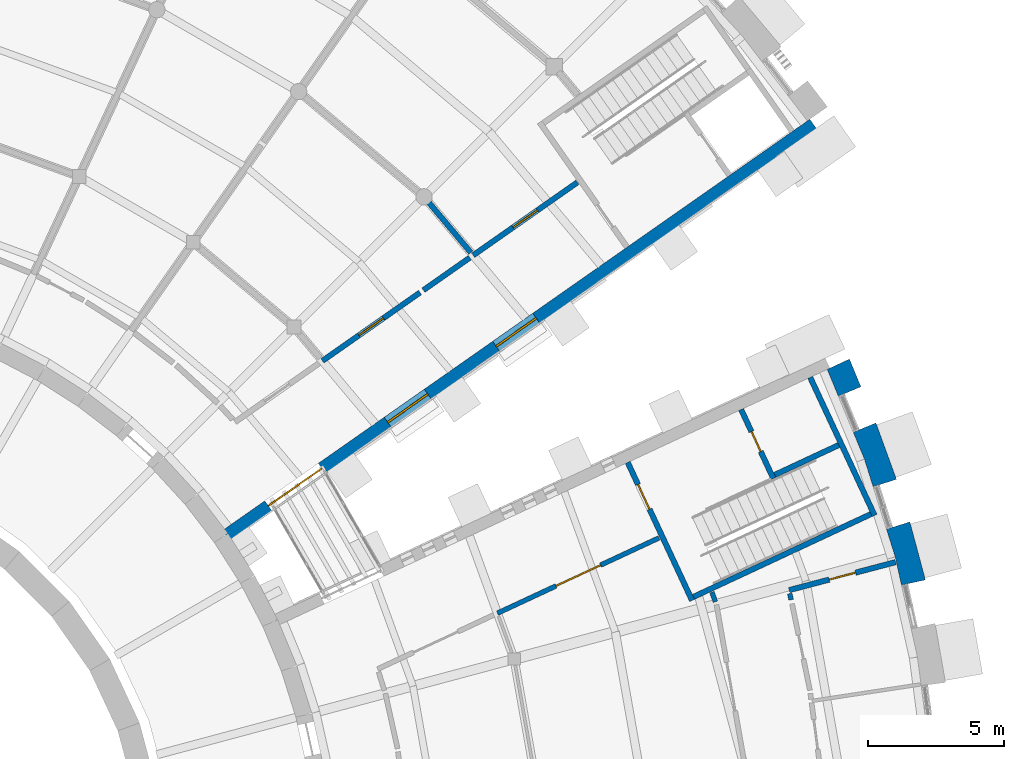
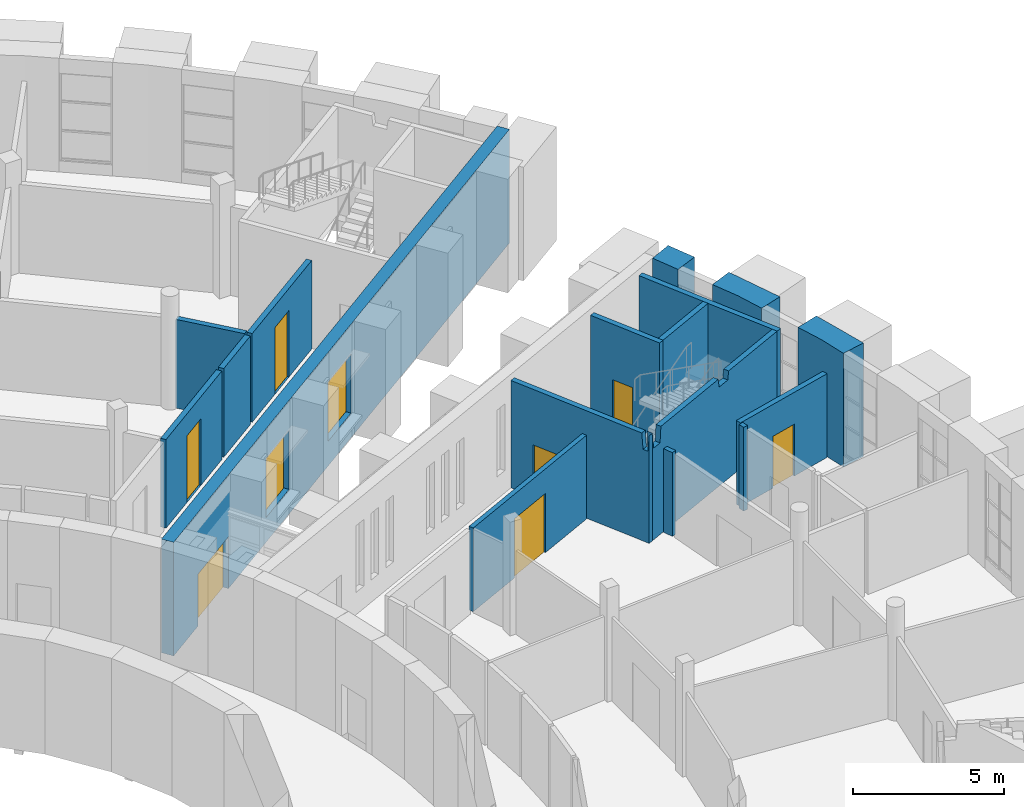
# One storey, part 46 of 66: 17 walls, 7 doors, 2 windows, 9 openings.
"""IFC4 building model written with IfcOpenShell, lengths in metres."""

from ifc_helpers import new_model, si_unit, direction, frame, frame_2d, origin, place, context, subcontext, project, spatial, polyline, rectangle, outline, extrude, material, layer, layer_set, type_object, element, fill, save


model = new_model("IFC4")

# Units and contexts
model_context = context("Model", 3, precision=1e-05, world=origin(), true_north=direction((0.0, 1.0)))
body_context = subcontext(model_context, "Body", "Model", "MODEL_VIEW")
ifc_project = project(units=[si_unit("LENGTHUNIT", "METRE"), si_unit("AREAUNIT", "SQUARE_METRE"), si_unit("VOLUMEUNIT", "CUBIC_METRE"), si_unit("PLANEANGLEUNIT", "RADIAN"), si_unit("MASSUNIT", "GRAM", prefix="KILO")], contexts=[model_context])

# Site, building, storey
site_placement = place(None, origin())
site = spatial("IfcSite", under=ifc_project, at=site_placement, CompositionType="ELEMENT")
building_placement = place(site_placement, origin())
building = spatial("IfcBuilding", under=site, at=building_placement, Name="Volute Hill Aquarium", CompositionType="ELEMENT")
storey_placement = place(building_placement, frame((0.0, 0.0, 4.60009765625)))
storey = spatial("IfcBuildingStorey", under=building, at=storey_placement, Name="L02", CompositionType="ELEMENT", Elevation=4.60009765625)

# Wall, opening, door
ifc_material_1 = material(Name="Concrete C30/37", Category="concrete")
ifc_layer_1 = layer(ifc_material_1, 0.199951171875)
ifc_layer_set_1 = layer_set([ifc_layer_1], Name="Core wall 200 REI 60")
wall_type_1 = type_object("IfcWallType", Name="Core wall 200 REI 60", PredefinedType="SHEAR", material=ifc_layer_set_1)
wall_1_placement = place(storey_placement, frame((31.89599609375, 14.652587890625, 0.0), z_axis=(0.0, 0.0, 1.0), x_axis=(0.422632457081, -0.906301167505, 0.0)))
wall_1 = element("IfcWall", 1, at=wall_1_placement, inside=storey, type_object=wall_type_1, Name="wc/S4-B/L02/in", PredefinedType="SHEAR", context=body_context, shape_type="SweptSolid", body=[
    extrude(outline(polyline([(0.0, 0.0), (5.599853515625, 0.0), (5.60009765625, 4.349853515625), (5.550048828125, 3.7099609375), (5.35009765625, 3.7099609375), (5.300048828125, 4.349853515625), (0.0, 4.349853515625), (0.0, 0.0)])), frame((0.0, 0.10009765625, 0.0), z_axis=(0.0, -1.0, 0.0), x_axis=(1.0, 0.0, 0.0)), (0.0, 0.0, 1.0), 0.199951171875),
])
opening_1_placement = place(wall_1_placement, frame((0.89990234375, 0.0, 0.0)))
opening_1 = element("IfcOpeningElement", 2, at=opening_1_placement, cuts=wall_1, Name="Opening D4.02.BS", PredefinedType="OPENING", context=body_context, shape_type="SweptSolid", body=[
    extrude(rectangle(XDim=1.0, YDim=2.10009765625, at=frame_2d((0.5, 1.050048828125))), frame((0.0, 0.10986328125, 0.0), z_axis=(0.0, -1.0, 0.0), x_axis=(1.0, 0.0, 0.0)), (0.0, 0.0, 1.0), 0.219970703125),
])
ifc_material_2 = material(Name="Timber, fire-rated", Category="wood")
door_type_1 = type_object("IfcDoorType", Name="Door 1000 x 2100 single EI1 30", OperationType="SINGLE_SWING_LEFT", PredefinedType="DOOR", material=ifc_material_2)
door_1_placement = place(opening_1_placement, origin())
door_1 = element("IfcDoor", 3, at=door_1_placement, inside=storey, type_object=door_type_1, Name="d/S4-B/L02/st", OperationType="SINGLE_SWING_RIGHT", OverallHeight=2.10009765625, OverallWidth=1.0, PredefinedType="DOOR", context=body_context, shape_type="SweptSolid", body=[
    extrude(rectangle(XDim=1.0, YDim=2.10009765625, at=frame_2d((0.5, 1.050048828125))), frame((0.0, 0.02490234375, 0.0), z_axis=(0.0, -1.0, 0.0), x_axis=(1.0, 0.0, 0.0)), (0.0, 0.0, 1.0), 0.050048828125),
])
fill(opening_1, door_1)

# Walls
wall_2_placement = place(storey_placement, frame((34.31103515625, 9.710205078125, 0.0), z_axis=(0.0, 0.0, 1.0), x_axis=(0.906300917592, 0.422632992999, 0.0)))
element("IfcWall", 4, at=wall_2_placement, inside=storey, type_object=wall_type_1, Name="wc/S4-B/L02/side", PredefinedType="SHEAR", context=body_context, shape_type="SweptSolid", body=[
    extrude(outline(polyline([(0.0, 0.0), (7.199951171875, 0.0), (7.199951171875, 4.349853515625), (4.392578125, 4.349853515625), (4.342529296875, 4.010009765625), (3.842529296875, 4.010009765625), (3.79248046875, 4.349853515625), (0.477294921875, 4.349853515625), (0.42724609375, 3.7099609375), (0.050048828125, 3.7099609375), (0.0, 4.349853515625), (0.0, 0.0)])), frame((0.0, 0.10009765625, 0.0), z_axis=(0.0, -1.0, 0.0), x_axis=(1.0, 0.0, 0.0)), (0.0, 0.0, 1.0), 0.199951171875),
])
wall_3_placement = place(storey_placement, frame((38.6025390625, 17.780029296875, 0.0), z_axis=(0.0, 0.0, 1.0), x_axis=(0.422615758486, -0.906308954319, 0.0)))
element("IfcWall", 5, at=wall_3_placement, inside=storey, type_object=wall_type_1, Name="wc/S4-B/L02/out", PredefinedType="SHEAR", context=body_context, shape_type="SweptSolid", body=[
    extrude(rectangle(XDim=5.60009765625, YDim=0.199951171875, at=frame_2d((2.800048828125, 0.0))), origin(), (0.0, 0.0, 1.0), 4.349853515625),
])

# Wall, opening, door
ifc_material_3 = material(Name="Gypsum board on steel studs", Category="steel")
ifc_layer_2 = layer(ifc_material_3, 0.175048828125)
ifc_layer_set_2 = layer_set([ifc_layer_2], Name="Corridor partition 175 EI 60")
wall_type_2 = type_object("IfcWallType", Name="Corridor partition 175 EI 60", PredefinedType="PARTITIONING", material=ifc_layer_set_2)
wall_4_placement = place(storey_placement, frame((33.0458984375, 11.87890625, 0.0), z_axis=(0.0, 0.0, 1.0), x_axis=(-0.906297375057, -0.422640589585, 0.0)))
wall_4 = element("IfcWall", 6, at=wall_4_placement, inside=storey, type_object=wall_type_2, Name="pw/S4/L02/003", PredefinedType="PARTITIONING", context=body_context, shape_type="SweptSolid", body=[
    extrude(rectangle(XDim=6.550048828125, YDim=0.175048828125, at=frame_2d((3.27490234375, 0.0))), origin(), (0.0, 0.0, 1.0), 3.389892578125),
])
opening_2_placement = place(wall_4_placement, frame((2.375, 0.0, 0.0)))
opening_2 = element("IfcOpeningElement", 7, at=opening_2_placement, cuts=wall_4, Name="Opening D4.02.04", PredefinedType="OPENING", context=body_context, shape_type="SweptSolid", body=[
    extrude(rectangle(XDim=1.800048828125, YDim=2.39990234375, at=frame_2d((0.89990234375, 1.199951171875))), frame((0.0, 0.097412109375, 0.0), z_axis=(0.0, -1.0, 0.0), x_axis=(1.0, 0.0, 0.0)), (0.0, 0.0, 1.0), 0.195068359375),
])
ifc_material_4 = material(Name="Timber, fire-rated", Category="wood")
door_type_2 = type_object("IfcDoorType", Name="Door 1800 x 2400 gallery double EI1 30", OperationType="DOUBLE_DOOR_SINGLE_SWING", PredefinedType="DOOR", material=ifc_material_4)
door_2_placement = place(opening_2_placement, origin())
door_2 = element("IfcDoor", 8, at=door_2_placement, inside=storey, type_object=door_type_2, Name="d/S4/L02/04", OperationType="SINGLE_SWING_LEFT", OverallHeight=2.39990234375, OverallWidth=1.800048828125, PredefinedType="DOOR", context=body_context, shape_type="SweptSolid", body=[
    extrude(rectangle(XDim=1.800048828125, YDim=2.39990234375, at=frame_2d((0.89990234375, 1.199951171875))), frame((0.0, 0.02490234375, 0.0), z_axis=(0.0, -1.0, 0.0), x_axis=(1.0, 0.0, 0.0)), (0.0, 0.0, 1.0), 0.050048828125),
])
fill(opening_2, door_2)

# Walls
wall_5_placement = place(storey_placement, frame((37.852294921875, 9.8310546875, 0.0), z_axis=(0.0, 0.0, 1.0), x_axis=(0.215936265347, -0.976407460699, 0.0)))
element("IfcWall", 9, at=wall_5_placement, inside=storey, type_object=wall_type_2, Name="pw/S4/L02/032", PredefinedType="PARTITIONING", context=body_context, shape_type="SweptSolid", body=[
    extrude(rectangle(XDim=0.234130859375, YDim=0.175048828125, at=frame_2d((0.1171875, 0.0))), origin(), (0.0, 0.0, 1.0), 3.389892578125),
])
wall_6_placement = place(storey_placement, frame((34.9912109375, 9.884033203125, 0.0), z_axis=(0.0, 0.0, 1.0), x_axis=(0.341690805362, -0.939812424652, 0.0)))
element("IfcWall", 10, at=wall_6_placement, inside=storey, type_object=wall_type_2, Name="pw/S4/L02/033", PredefinedType="PARTITIONING", context=body_context, shape_type="SweptSolid", body=[
    extrude(rectangle(XDim=0.375, YDim=0.175048828125, at=frame_2d((0.1875, 0.0))), origin(), (0.0, 0.0, 1.0), 3.389892578125),
])

# Wall, openings, door, windows
ifc_material_5 = material(Name="Concrete C35/45", Category="concrete")
ifc_layer_3 = layer(ifc_material_5, 0.449951171875)
ifc_layer_set_3 = layer_set([ifc_layer_3], Name="End wall 450 C35/45")
wall_type_3 = type_object("IfcWallType", Name="End wall 450 C35/45", PredefinedType="SHEAR", material=ifc_layer_set_3)
wall_7_placement = place(storey_placement, frame((17.134521484375, 11.96728515625, 0.0), z_axis=(0.0, 0.0, 1.0), x_axis=(0.819152256121, 0.573576133823, 0.0)))
wall_7 = element("IfcWall", 11, at=wall_7_placement, inside=storey, type_object=wall_type_3, Name="sw/S5/L02/endA", PredefinedType="SHEAR", context=body_context, shape_type="SweptSolid", body=[
    extrude(rectangle(XDim=26.35009765625, YDim=0.449951171875, at=frame_2d((13.175048828125, 0.0))), origin(), (0.0, 0.0, 1.0), 4.599853515625),
])
opening_3_placement = place(wall_7_placement, frame((7.252197265625, 0.0, 1.0)))
opening_3 = element("IfcOpeningElement", 12, at=opening_3_placement, cuts=wall_7, Name="Opening W13", PredefinedType="OPENING", context=body_context, shape_type="SweptSolid", body=[
    extrude(rectangle(XDim=1.800048828125, YDim=2.39990234375, at=frame_2d((0.89990234375, 1.199951171875))), frame((0.0, 0.23486328125, 0.0), z_axis=(0.0, -1.0, 0.0), x_axis=(1.0, 0.0, 0.0)), (0.0, 0.0, 1.0), 0.469970703125),
])
opening_4_placement = place(wall_7_placement, frame((12.1181640625, 0.0, 1.0)))
opening_4 = element("IfcOpeningElement", 13, at=opening_4_placement, cuts=wall_7, Name="Opening W13", PredefinedType="OPENING", context=body_context, shape_type="SweptSolid", body=[
    extrude(rectangle(XDim=1.800048828125, YDim=2.39990234375, at=frame_2d((0.89990234375, 1.199951171875))), frame((0.0, 0.23486328125, 0.0), z_axis=(0.0, -1.0, 0.0), x_axis=(1.0, 0.0, 0.0)), (0.0, 0.0, 1.0), 0.469970703125),
])
opening_5_placement = place(wall_7_placement, frame((1.89990234375, 0.0, 0.0)))
opening_5 = element("IfcOpeningElement", 14, at=opening_5_placement, cuts=wall_7, Name="Opening D5.02.BA", PredefinedType="OPENING", context=body_context, shape_type="SweptSolid", body=[
    extrude(rectangle(XDim=2.39990234375, YDim=2.10009765625, at=frame_2d((1.199951171875, 1.050048828125))), frame((0.0, 0.23486328125, 0.0), z_axis=(0.0, -1.0, 0.0), x_axis=(1.0, 0.0, 0.0)), (0.0, 0.0, 1.0), 0.469970703125),
])
ifc_material_6 = material(Name="Timber", Category="wood")
door_type_3 = type_object("IfcDoorType", Name="Door 2400 x 2100 bridge double", OperationType="DOUBLE_DOOR_SINGLE_SWING", PredefinedType="DOOR", material=ifc_material_6)
door_3_placement = place(opening_5_placement, origin())
door_3 = element("IfcDoor", 15, at=door_3_placement, inside=storey, type_object=door_type_3, Name="d/S5/L02/brA", OperationType="SINGLE_SWING_LEFT", OverallHeight=2.10009765625, OverallWidth=2.39990234375, PredefinedType="DOOR", context=body_context, shape_type="SweptSolid", body=[
    extrude(rectangle(XDim=2.39990234375, YDim=2.10009765625, at=frame_2d((1.199951171875, 1.050048828125))), frame((0.0, 0.02490234375, 0.0), z_axis=(0.0, -1.0, 0.0), x_axis=(1.0, 0.0, 0.0)), (0.0, 0.0, 1.0), 0.050048828125),
])
fill(opening_5, door_3)
ifc_material_7 = material(Name="Aluminium and glass", Category="aluminium")
window_type = type_object("IfcWindowType", Name="End wall window 1800x2400", PartitioningType="SINGLE_PANEL", PredefinedType="WINDOW", material=ifc_material_7)
window_1_placement = place(opening_3_placement, origin())
window_1 = element("IfcWindow", 16, at=window_1_placement, inside=storey, type_object=window_type, Name="End wall window S5A L02 2.1", OverallHeight=2.39990234375, OverallWidth=1.800048828125, PartitioningType="SINGLE_PANEL", PredefinedType="WINDOW", context=body_context, shape_type="SweptSolid", body=[
    extrude(rectangle(XDim=1.800048828125, YDim=2.39990234375, at=frame_2d((0.89990234375, 1.199951171875))), frame((0.0, 0.030029296875, 0.0), z_axis=(0.0, -1.0, 0.0), x_axis=(1.0, 0.0, 0.0)), (0.0, 0.0, 1.0), 0.06005859375),
])
fill(opening_3, window_1)
window_2_placement = place(opening_4_placement, origin())
window_2 = element("IfcWindow", 17, at=window_2_placement, inside=storey, type_object=window_type, Name="End wall window S5A L02 3.1", OverallHeight=2.39990234375, OverallWidth=1.800048828125, PartitioningType="SINGLE_PANEL", PredefinedType="WINDOW", context=body_context, shape_type="SweptSolid", body=[
    extrude(rectangle(XDim=1.800048828125, YDim=2.39990234375, at=frame_2d((0.89990234375, 1.199951171875))), frame((0.0, 0.030029296875, 0.0), z_axis=(0.0, -1.0, 0.0), x_axis=(1.0, 0.0, 0.0)), (0.0, 0.0, 1.0), 0.06005859375),
])
fill(opening_4, window_2)

# Wall, opening, door
ifc_material_8 = material(Name="Masonry blockwork", Category="masonry")
ifc_layer_4 = layer(ifc_material_8, 0.199951171875)
ifc_layer_set_4 = layer_set([ifc_layer_4], Name="Fire partition 200 EI 60")
wall_type_4 = type_object("IfcWallType", Name="Fire partition 200 EI 60", PredefinedType="PARTITIONING", material=ifc_layer_set_4)
wall_8_placement = place(storey_placement, frame((37.831298828125, 9.958740234375, 0.0), z_axis=(0.0, 0.0, 1.0), x_axis=(0.967062017207, 0.254540870738, 0.0)))
wall_8 = element("IfcWall", 18, at=wall_8_placement, inside=storey, type_object=wall_type_4, Name="pw/S4/L02/016", PredefinedType="PARTITIONING", context=body_context, shape_type="SweptSolid", body=[
    extrude(rectangle(XDim=4.041748046875, YDim=0.199951171875, at=frame_2d((2.02099609375, 0.0))), origin(), (0.0, 0.0, 1.0), 3.389892578125),
])
opening_6_placement = place(wall_8_placement, frame((1.52099609375, 0.0, 0.0)))
opening_6 = element("IfcOpeningElement", 19, at=opening_6_placement, cuts=wall_8, Name="Opening D4.02.11", PredefinedType="OPENING", context=body_context, shape_type="SweptSolid", body=[
    extrude(rectangle(XDim=1.0, YDim=2.10009765625, at=frame_2d((0.5, 1.050048828125))), frame((0.0, 0.10986328125, 0.0), z_axis=(0.0, -1.0, 0.0), x_axis=(1.0, 0.0, 0.0)), (0.0, 0.0, 1.0), 0.219970703125),
])
door_4_placement = place(opening_6_placement, origin())
door_4 = element("IfcDoor", 20, at=door_4_placement, inside=storey, type_object=door_type_1, Name="d/S4/L02/11", OperationType="SINGLE_SWING_LEFT", OverallHeight=2.10009765625, OverallWidth=1.0, PredefinedType="DOOR", context=body_context, shape_type="SweptSolid", body=[
    extrude(rectangle(XDim=1.0, YDim=2.10009765625, at=frame_2d((0.5, 1.050048828125))), frame((0.0, 0.02490234375, 0.0), z_axis=(0.0, -1.0, 0.0), x_axis=(1.0, 0.0, 0.0)), (0.0, 0.0, 1.0), 0.050048828125),
])
fill(opening_6, door_4)

wall_9_placement = place(storey_placement, frame((26.21630859375, 22.263427734375, 0.0), z_axis=(0.0, 0.0, 1.0), x_axis=(0.819163219181, 0.57356047662, 0.0)))
wall_9 = element("IfcWall", 21, at=wall_9_placement, inside=storey, type_object=wall_type_4, Name="pw/S5/L02/012", PredefinedType="PARTITIONING", context=body_context, shape_type="SweptSolid", body=[
    extrude(rectangle(XDim=4.675048828125, YDim=0.199951171875, at=frame_2d((2.33740234375, 0.0))), origin(), (0.0, 0.0, 1.0), 3.58984375),
])
opening_7_placement = place(wall_9_placement, frame((1.78759765625, 0.0, 0.0)))
opening_7 = element("IfcOpeningElement", 22, at=opening_7_placement, cuts=wall_9, Name="Opening D5.02.06", PredefinedType="OPENING", context=body_context, shape_type="SweptSolid", body=[
    extrude(rectangle(XDim=1.10009765625, YDim=2.699951171875, at=frame_2d((0.550048828125, 1.35009765625))), frame((0.0, 0.10986328125, 0.0), z_axis=(0.0, -1.0, 0.0), x_axis=(1.0, 0.0, 0.0)), (0.0, 0.0, 1.0), 0.219970703125),
])
ifc_material_9 = material(Name="Steel, fire-rated", Category="steel")
door_type_4 = type_object("IfcDoorType", Name="Door 1100 x 2700 animal care EI1 30", OperationType="SINGLE_SWING_LEFT", PredefinedType="DOOR", material=ifc_material_9)
door_5_placement = place(opening_7_placement, origin())
door_5 = element("IfcDoor", 23, at=door_5_placement, inside=storey, type_object=door_type_4, Name="d/S5/L02/06", OperationType="SINGLE_SWING_RIGHT", OverallHeight=2.699951171875, OverallWidth=1.10009765625, PredefinedType="DOOR", context=body_context, shape_type="SweptSolid", body=[
    extrude(rectangle(XDim=1.10009765625, YDim=2.699951171875, at=frame_2d((0.550048828125, 1.35009765625))), frame((0.0, 0.02490234375, 0.0), z_axis=(0.0, -1.0, 0.0), x_axis=(1.0, 0.0, 0.0)), (0.0, 0.0, 1.0), 0.050048828125),
])
fill(opening_7, door_5)

wall_10_placement = place(storey_placement, frame((20.677001953125, 18.384765625, 0.0), z_axis=(0.0, 0.0, 1.0), x_axis=(0.819145467106, 0.573585829427, 0.0)))
wall_10 = element("IfcWall", 24, at=wall_10_placement, inside=storey, type_object=wall_type_4, Name="pw/S5/L02/013", PredefinedType="PARTITIONING", context=body_context, shape_type="SweptSolid", body=[
    extrude(rectangle(XDim=4.378662109375, YDim=0.199951171875, at=frame_2d((2.189453125, 0.0))), origin(), (0.0, 0.0, 1.0), 3.58984375),
])
opening_8_placement = place(wall_10_placement, frame((1.639404296875, 0.0, 0.0)))
opening_8 = element("IfcOpeningElement", 25, at=opening_8_placement, cuts=wall_10, Name="Opening D5.02.04", PredefinedType="OPENING", context=body_context, shape_type="SweptSolid", body=[
    extrude(rectangle(XDim=1.10009765625, YDim=2.699951171875, at=frame_2d((0.550048828125, 1.35009765625))), frame((0.0, 0.10986328125, 0.0), z_axis=(0.0, -1.0, 0.0), x_axis=(1.0, 0.0, 0.0)), (0.0, 0.0, 1.0), 0.219970703125),
])
door_6_placement = place(opening_8_placement, origin())
door_6 = element("IfcDoor", 26, at=door_6_placement, inside=storey, type_object=door_type_4, Name="d/S5/L02/04", OperationType="SINGLE_SWING_RIGHT", OverallHeight=2.699951171875, OverallWidth=1.10009765625, PredefinedType="DOOR", context=body_context, shape_type="SweptSolid", body=[
    extrude(rectangle(XDim=1.10009765625, YDim=2.699951171875, at=frame_2d((0.550048828125, 1.35009765625))), frame((0.0, 0.02490234375, 0.0), z_axis=(0.0, -1.0, 0.0), x_axis=(1.0, 0.0, 0.0)), (0.0, 0.0, 1.0), 0.050048828125),
])
fill(opening_8, door_6)

# Walls
wall_11_placement = place(storey_placement, frame((24.567138671875, 24.22900390625, 0.0), z_axis=(0.0, 0.0, 1.0), x_axis=(0.642773582777, -0.766056212875, 0.0)))
element("IfcWall", 27, at=wall_11_placement, inside=storey, type_object=wall_type_4, Name="pw/S5/L02/022", PredefinedType="PARTITIONING", context=body_context, shape_type="SweptSolid", body=[
    extrude(rectangle(XDim=2.435791015625, YDim=0.199951171875, at=frame_2d((1.2177734375, 0.0))), origin(), (0.0, 0.0, 1.0), 3.58984375),
])
wall_12_placement = place(storey_placement, frame((24.38671875, 20.982177734375, 0.0), z_axis=(0.0, 0.0, 1.0), x_axis=(0.819105298708, 0.57364319017, 0.0)))
element("IfcWall", 28, at=wall_12_placement, inside=storey, type_object=wall_type_4, Name="pw/S5/L02/023", PredefinedType="PARTITIONING", context=body_context, shape_type="SweptSolid", body=[
    extrude(rectangle(XDim=2.083740234375, YDim=0.199951171875, at=frame_2d((1.0419921875, 0.0))), origin(), (0.0, 0.0, 1.0), 3.58984375),
])
ifc_material_10 = material(Name="Precast concrete C40/50", Category="concrete")
ifc_layer_5 = layer(ifc_material_10, 0.89990234375)
ifc_layer_set_5 = layer_set([ifc_layer_5], Name="Outer pier precast concrete C40/50 900")
wall_type_5 = type_object("IfcWallType", Name="Outer pier precast concrete C40/50 900", PredefinedType="NOTDEFINED", material=ifc_layer_set_5)
wall_13_placement = place(storey_placement, origin())
element("IfcWall", 29, at=wall_13_placement, inside=storey, type_object=wall_type_5, Name="Outer pier OWP S4 L02 9", PredefinedType="NOTDEFINED", context=body_context, shape_type="SweptSolid", body=[
    extrude(outline(polyline([(41.958251953125, 10.140380859375), (42.8369140625, 10.335205078125), (42.265625, 12.4677734375), (41.4072265625, 12.197265625), (41.7275390625, 11.180908203125), (41.958251953125, 10.140380859375)])), origin(), (0.0, 0.0, 1.0), 4.599853515625),
])
wall_14_placement = place(storey_placement, origin())
element("IfcWall", 30, at=wall_14_placement, inside=storey, type_object=wall_type_5, Name="Outer pier OWP S4 L02 10", PredefinedType="NOTDEFINED", context=body_context, shape_type="SweptSolid", body=[
    extrude(outline(polyline([(40.914794921875, 13.7587890625), (41.773193359375, 14.029541015625), (41.01806640625, 16.10400390625), (40.1865234375, 15.759765625), (40.59423828125, 14.775146484375), (40.914794921875, 13.7587890625)])), origin(), (0.0, 0.0, 1.0), 4.599853515625),
])
wall_15_placement = place(storey_placement, origin())
element("IfcWall", 31, at=wall_15_placement, inside=storey, type_object=wall_type_5, Name="Outer pier OWP S4 L02 11", PredefinedType="NOTDEFINED", context=body_context, shape_type="SweptSolid", body=[
    extrude(outline(polyline([(39.636474609375, 17.08740234375), (40.468017578125, 17.431884765625), (40.045166015625, 18.45263671875), (39.228759765625, 18.072021484375), (39.636474609375, 17.08740234375)])), origin(), (0.0, 0.0, 1.0), 4.599853515625),
])

# Wall, opening, door
ifc_material_11 = material(Name="Masonry blockwork", Category="masonry")
ifc_layer_6 = layer(ifc_material_11, 0.199951171875)
ifc_layer_set_6 = layer_set([ifc_layer_6], Name="Riser wall 200 EI 60")
wall_type_6 = type_object("IfcWallType", Name="Riser wall 200 EI 60", PredefinedType="SOLIDWALL", material=ifc_layer_set_6)
wall_16_placement = place(storey_placement, frame((36.06494140625, 16.5966796875, 0.0), z_axis=(0.0, 0.0, 1.0), x_axis=(0.422632457081, -0.906301167505, 0.0)))
wall_16 = element("IfcWall", 32, at=wall_16_placement, inside=storey, type_object=wall_type_6, Name="wc/S4-B/L02/front", PredefinedType="SOLIDWALL", context=body_context, shape_type="SweptSolid", body=[
    extrude(rectangle(XDim=2.800048828125, YDim=0.199951171875, at=frame_2d((1.39990234375, 0.0))), origin(), (0.0, 0.0, 1.0), 4.349853515625),
])
opening_9_placement = place(wall_16_placement, frame((0.89990234375, 0.0, 0.0)))
opening_9 = element("IfcOpeningElement", 33, at=opening_9_placement, cuts=wall_16, Name="Opening D4.02.BR", PredefinedType="OPENING", context=body_context, shape_type="SweptSolid", body=[
    extrude(rectangle(XDim=0.800048828125, YDim=2.10009765625, at=frame_2d((0.39990234375, 1.050048828125))), frame((0.0, 0.10986328125, 0.0), z_axis=(0.0, -1.0, 0.0), x_axis=(1.0, 0.0, 0.0)), (0.0, 0.0, 1.0), 0.219970703125),
])
ifc_material_12 = material(Name="Steel, fire-rated", Category="steel")
door_type_5 = type_object("IfcDoorType", Name="Door 800 x 2100 riser EI1 30", OperationType="SINGLE_SWING_LEFT", PredefinedType="DOOR", material=ifc_material_12)
door_7_placement = place(opening_9_placement, origin())
door_7 = element("IfcDoor", 34, at=door_7_placement, inside=storey, type_object=door_type_5, Name="d/S4-B/L02/rs", OperationType="SINGLE_SWING_LEFT", OverallHeight=2.10009765625, OverallWidth=0.800048828125, PredefinedType="DOOR", context=body_context, shape_type="SweptSolid", body=[
    extrude(rectangle(XDim=0.800048828125, YDim=2.10009765625, at=frame_2d((0.39990234375, 1.050048828125))), frame((0.0, 0.02490234375, 0.0), z_axis=(0.0, -1.0, 0.0), x_axis=(1.0, 0.0, 0.0)), (0.0, 0.0, 1.0), 0.050048828125),
])
fill(opening_9, door_7)

# Wall
wall_17_placement = place(storey_placement, frame((37.296630859375, 14.19189453125, 0.0), z_axis=(0.0, 0.0, 1.0), x_axis=(0.906300648467, 0.422633570115, 0.0)))
element("IfcWall", 35, at=wall_17_placement, inside=storey, type_object=wall_type_6, Name="wc/S4-B/L02/shaft-side", PredefinedType="SOLIDWALL", context=body_context, shape_type="SweptSolid", body=[
    extrude(rectangle(XDim=2.60009765625, YDim=0.199951171875, at=frame_2d((1.300048828125, 0.0))), origin(), (0.0, 0.0, 1.0), 4.349853515625),
])

save(model, "model.ifc")
